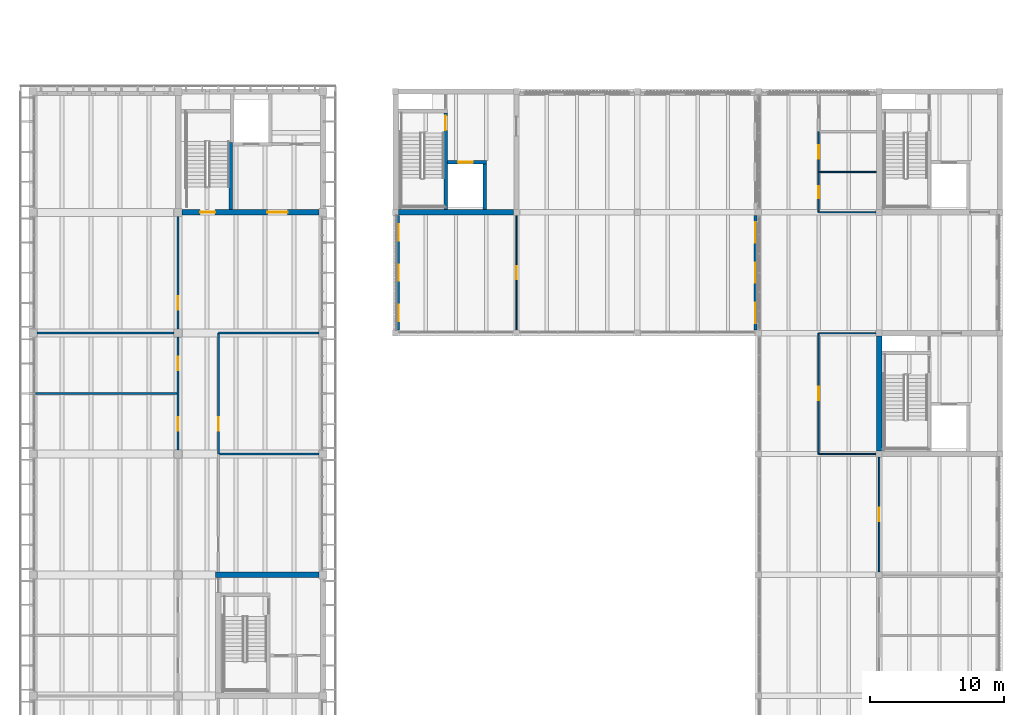
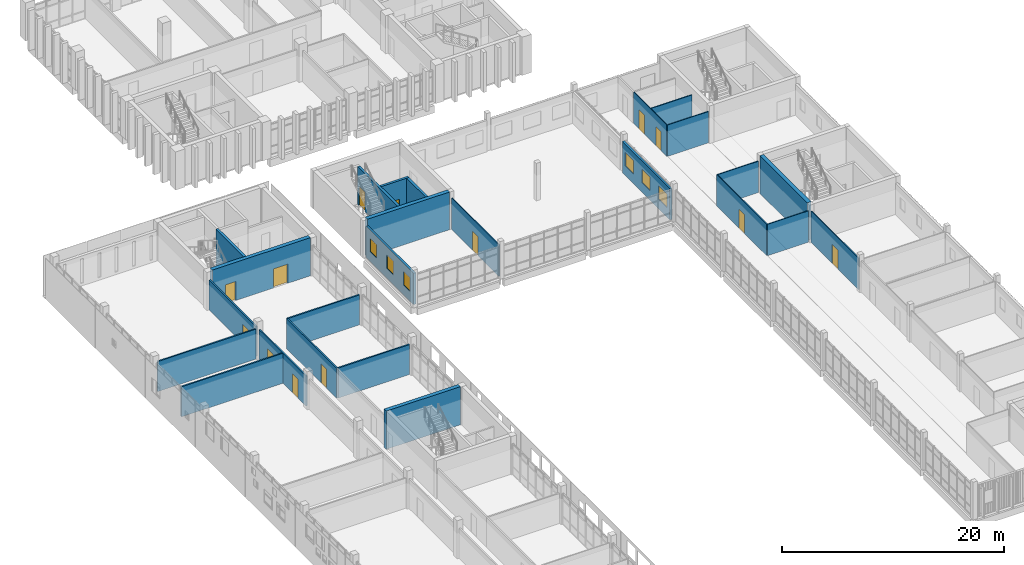
# One storey, part 54 of 88: 25 walls, 13 doors, 6 windows, 19 openings.
"""IFC4 building model written with IfcOpenShell, lengths in metres."""

import ifcopenshell
import ifcopenshell.guid

model = None  # the IFC model being written
_history = None  # IfcOwnerHistory: only IFC2X3 demands one
_inside = {}  # id of a spatial element -> (the spatial element, [elements in it])
_under = {}  # id of a project, library or spatial element -> (it, [spatial elements below it])
_declared = {}  # id of a project -> (the project, [libraries it declares])
_typed = {}  # id of a type object -> (the type object, [elements of that type])
_made_of = {}  # id of a material, layer set ... -> (it, [elements and type objects made of it])


def new_model(schema):
    """Start an empty IFC model of exactly this schema.

    Asked for "IFC4X3", IfcOpenShell would pick the latest addendum, in which some entities
    have other attributes; the version numbers below select the first issue.
    IFC2X3 requires an IfcOwnerHistory on every rooted entity: one is made here for all.
    """
    global model, _history
    if schema == "IFC4X3":
        model = ifcopenshell.file(schema_version=(4, 3, 0, 0))
    else:
        model = ifcopenshell.file(schema=schema)
    _inside.clear()
    _under.clear()
    _declared.clear()
    _typed.clear()
    _made_of.clear()
    _history = None
    if model.schema == "IFC2X3":
        org = make("IfcOrganization", Name="unknown")
        user = make(
            "IfcPersonAndOrganization",
            ThePerson=make("IfcPerson", FamilyName="unknown"),
            TheOrganization=org,
        )
        app = make(
            "IfcApplication",
            ApplicationDeveloper=org,
            Version="unknown",
            ApplicationFullName="unknown",
            ApplicationIdentifier="unknown",
        )
        _history = make(
            "IfcOwnerHistory",
            OwningUser=user,
            OwningApplication=app,
            ChangeAction="ADDED",
            CreationDate=0,
        )
    return model


def make(cls, **values):
    """One entity of the class cls with the attributes given. An attribute that is None is left unset."""
    return model.create_entity(
        cls, **{name: value for name, value in values.items() if value is not None}
    )


def rooted(cls, **values):
    """An entity with a GlobalId (a new one), such as an element, a storey or a relation."""
    return make(cls, GlobalId=ifcopenshell.guid.new(), OwnerHistory=_history, **values)


def si_unit(unit_type, name, prefix=None):
    """IfcSIUnit, for example si_unit("LENGTHUNIT", "METRE", prefix="MILLI")."""
    return make("IfcSIUnit", UnitType=unit_type, Prefix=prefix, Name=name)


def assignment(units):
    """IfcUnitAssignment: the units of a project."""
    return None if units is None else make("IfcUnitAssignment", Units=units)


def point(xyz):
    """IfcCartesianPoint."""
    return None if xyz is None else make("IfcCartesianPoint", Coordinates=xyz)


def direction(xyz):
    """IfcDirection."""
    return None if xyz is None else make("IfcDirection", DirectionRatios=xyz)


def frame(location, z_axis=None, x_axis=None):
    """IfcAxis2Placement3D, a coordinate frame: its origin and axes. An axis left out is left unset."""
    return make(
        "IfcAxis2Placement3D",
        Location=point(location),
        Axis=direction(z_axis),
        RefDirection=direction(x_axis),
    )


def frame_2d(location, x_axis=None):
    """IfcAxis2Placement2D, a coordinate frame in the plane: its origin and x axis."""
    return make(
        "IfcAxis2Placement2D", Location=point(location), RefDirection=direction(x_axis)
    )


def origin():
    """The frame at (0, 0, 0) with its axes left unset."""
    return frame((0.0, 0.0, 0.0))


def place(relative_to, where):
    """IfcLocalPlacement: puts the frame where relative to a parent placement (None: the world)."""
    return make(
        "IfcLocalPlacement", PlacementRelTo=relative_to, RelativePlacement=where
    )


def context(
    kind, dimensions, precision=None, world=None, true_north=None, identifier=None
):
    """IfcGeometricRepresentationContext, for example the 3D "Model" context."""
    return make(
        "IfcGeometricRepresentationContext",
        ContextIdentifier=identifier,
        ContextType=kind,
        CoordinateSpaceDimension=dimensions,
        Precision=precision,
        WorldCoordinateSystem=world,
        TrueNorth=true_north,
    )


def subcontext(parent, identifier, kind, view, scale=None):
    """IfcGeometricRepresentationSubContext, for example "Body" below "Model"."""
    return make(
        "IfcGeometricRepresentationSubContext",
        ContextIdentifier=identifier,
        ContextType=kind,
        ParentContext=parent,
        TargetScale=scale,
        TargetView=view,
    )


def project(units=None, contexts=None):
    """IfcProject with its units and contexts."""
    return rooted(
        "IfcProject",
        Name="project",
        RepresentationContexts=contexts,
        UnitsInContext=assignment(units),
    )


def spatial(cls, under=None, at=None, **own):
    """A site, building, storey or space (cls), placed at a placement, below another one or the project."""
    s = rooted(cls, ObjectPlacement=at, **own)
    if under is not None:
        _under.setdefault(under.id(), (under, []))[1].append(s)
    return s


def profile(cls, at=None, kind="AREA", **sizes):
    """A parametric profile (cls). Its sizes go by their IFC names, for example OverallWidth=200.0."""
    return make(cls, ProfileType=kind, Position=at, **sizes)


def rectangle(**sizes):
    """IfcRectangleProfileDef."""
    return profile("IfcRectangleProfileDef", **sizes)


def extrude(swept, where, along, depth):
    """IfcExtrudedAreaSolid: the profile swept, set in the frame where, extruded along a direction by depth."""
    return make(
        "IfcExtrudedAreaSolid",
        SweptArea=swept,
        Position=where,
        ExtrudedDirection=direction(along),
        Depth=depth,
    )


def shape(context_of_items, identifier, shape_type, items):
    """IfcShapeRepresentation: the items that make up one representation, for example the "Body"."""
    return make(
        "IfcShapeRepresentation",
        ContextOfItems=context_of_items,
        RepresentationIdentifier=identifier,
        RepresentationType=shape_type,
        Items=items,
    )


def material(Name=None, Category=None):
    """IfcMaterial."""
    return make("IfcMaterial", Name=Name, Category=Category)


def layer(
    of_material, thickness, ventilated=None, Name=None, Category=None, Priority=None
):
    """IfcMaterialLayer: one layer of a wall or slab, of a material (None: an air gap)."""
    return make(
        "IfcMaterialLayer",
        Material=of_material,
        LayerThickness=thickness,
        IsVentilated=ventilated,
        Name=Name,
        Category=Category,
        Priority=Priority,
    )


def layer_set(layers, Name=None):
    """IfcMaterialLayerSet."""
    return make("IfcMaterialLayerSet", MaterialLayers=layers, LayerSetName=Name)


def made_of(thing, what):
    """Note that an element or type object is made of a material, layer set ...; save() writes the relation."""
    if what is not None:
        _made_of.setdefault(what.id(), (what, []))[1].append(thing)
    return thing


def type_object(cls, material=None, **own):
    """A type object (cls), such as IfcWallType, which elements share."""
    return made_of(rooted(cls, **own), material)


def element(
    cls,
    number,
    at=None,
    inside=None,
    cuts=None,
    type_object=None,
    material=None,
    context=None,
    identifier="Body",
    shape_type=None,
    held_by="IfcProductDefinitionShape",
    body=None,
    shapes=None,
    **own,
):
    """One element of the class cls, such as IfcWall. Its Tag is "e" and its number.

    at: its placement. inside: the storey or other place that contains it. cuts: it is an
    opening in that element (IfcRelVoidsElement). A single representation is given by context,
    identifier, shape_type and body (its items); several are given by shapes. held_by: the class
    of the entity that holds the representations. save() writes the other relations.
    """
    e = rooted(cls, Tag="e%d" % number, ObjectPlacement=at, **own)
    if body is not None:
        shapes = [shape(context, identifier, shape_type, body)]
    if shapes is not None:
        e.Representation = make(held_by, Representations=shapes)
    if inside is not None:
        _inside.setdefault(inside.id(), (inside, []))[1].append(e)
    if cuts is not None:
        rooted(
            "IfcRelVoidsElement", RelatingBuildingElement=cuts, RelatedOpeningElement=e
        )
    if type_object is not None:
        _typed.setdefault(type_object.id(), (type_object, []))[1].append(e)
    return made_of(e, material)


def fill(opening, filler):
    """IfcRelFillsElement: the door or window that sits in an opening."""
    return rooted(
        "IfcRelFillsElement",
        RelatingOpeningElement=opening,
        RelatedBuildingElement=filler,
    )


def aggregate(whole, parts):
    """IfcRelAggregates: a whole, such as a stair, and the parts it consists of."""
    return rooted("IfcRelAggregates", RelatingObject=whole, RelatedObjects=parts)


def save(model, path):
    """Write the relations noted so far, then the file.

    IfcRelAggregates (storeys below a building ...), IfcRelContainedInSpatialStructure (elements
    in a storey), IfcRelDefinesByType, IfcRelAssociatesMaterial and IfcRelDeclares: one each for
    every whole, place, type object, material and project.
    """
    for whole, parts in _under.values():
        aggregate(whole, parts)
    for where, things in _inside.values():
        rooted(
            "IfcRelContainedInSpatialStructure",
            RelatedElements=things,
            RelatingStructure=where,
        )
    for kind, things in _typed.values():
        rooted("IfcRelDefinesByType", RelatedObjects=things, RelatingType=kind)
    for what, things in _made_of.values():
        rooted("IfcRelAssociatesMaterial", RelatedObjects=things, RelatingMaterial=what)
    for by, libraries in _declared.values():
        rooted("IfcRelDeclares", RelatingContext=by, RelatedDefinitions=libraries)
    model.write(path)


model = new_model("IFC4")

# Units and contexts
model_context = context("Model", 3, precision=1e-05, world=origin(), true_north=direction((0.0, 1.0)))
body_context = subcontext(model_context, "Body", "Model", "MODEL_VIEW")
ifc_project = project(units=[si_unit("LENGTHUNIT", "METRE"), si_unit("AREAUNIT", "SQUARE_METRE"), si_unit("VOLUMEUNIT", "CUBIC_METRE"), si_unit("PLANEANGLEUNIT", "RADIAN"), si_unit("MASSUNIT", "GRAM", prefix="KILO")], contexts=[model_context])

# Site, building, storey
site_placement = place(None, origin())
site = spatial("IfcSite", under=ifc_project, at=site_placement, CompositionType="ELEMENT")
building_placement = place(site_placement, origin())
building = spatial("IfcBuilding", under=site, at=building_placement, Name="Merrow Basin Faculty of Sciences", CompositionType="ELEMENT")
storey_placement = place(building_placement, frame((0.0, 0.0, 9.0)))
storey = spatial("IfcBuildingStorey", under=building, at=storey_placement, Name="L02", CompositionType="ELEMENT", Elevation=9.0)

# Wall, openings, windows
ifc_material_1 = material(Name="Precast concrete C40/50", Category="concrete")
ifc_layer_1 = layer(ifc_material_1, 0.215087890625)
ifc_layer_set_1 = layer_set([ifc_layer_1], Name="External infill wall 215 Precast concrete C40/50")
wall_type_1 = type_object("IfcWallType", Name="External infill wall 215 Precast concrete C40/50", PredefinedType="STANDARD", material=ifc_layer_set_1)
wall_1_placement = place(storey_placement, frame((27.193115234375, 115.22509765625, 0.0), z_axis=(0.0, 0.0, 1.0), x_axis=(0.0, 1.0, 0.0)))
wall_1 = element("IfcWall", 1, at=wall_1_placement, inside=storey, type_object=wall_type_1, Name="W external wall 1", PredefinedType="STANDARD", context=body_context, shape_type="SweptSolid", body=[
    extrude(rectangle(XDim=8.5498046875, YDim=0.215087890625, at=frame_2d((4.27490234375, 0.0))), origin(), (0.0, 0.0, 1.0), 3.449951171875),
])
opening_1_placement = place(wall_1_placement, frame((0.675048828125, 0.0, 1.050048828125)))
opening_1 = element("IfcOpeningElement", 2, at=opening_1_placement, cuts=wall_1, Name="Opening WN12", PredefinedType="OPENING", context=body_context, shape_type="SweptSolid", body=[
    extrude(rectangle(XDim=1.199951171875, YDim=1.5, at=frame_2d((0.60009765625, 0.75))), frame((0.0, 0.117431640625, 0.0), z_axis=(0.0, -1.0, 0.0), x_axis=(1.0, 0.0, 0.0)), (0.0, 0.0, 1.0), 0.235107421875),
])
opening_2_placement = place(wall_1_placement, frame((3.675048828125, 0.0, 1.050048828125)))
opening_2 = element("IfcOpeningElement", 3, at=opening_2_placement, cuts=wall_1, Name="Opening WN12", PredefinedType="OPENING", context=body_context, shape_type="SweptSolid", body=[
    extrude(rectangle(XDim=1.199951171875, YDim=1.5, at=frame_2d((0.60009765625, 0.75))), frame((0.0, 0.117431640625, 0.0), z_axis=(0.0, -1.0, 0.0), x_axis=(1.0, 0.0, 0.0)), (0.0, 0.0, 1.0), 0.235107421875),
])
opening_3_placement = place(wall_1_placement, frame((6.675048828125, 0.0, 1.050048828125)))
opening_3 = element("IfcOpeningElement", 4, at=opening_3_placement, cuts=wall_1, Name="Opening WN12", PredefinedType="OPENING", context=body_context, shape_type="SweptSolid", body=[
    extrude(rectangle(XDim=1.199951171875, YDim=1.5, at=frame_2d((0.60009765625, 0.75))), frame((0.0, 0.117431640625, 0.0), z_axis=(0.0, -1.0, 0.0), x_axis=(1.0, 0.0, 0.0)), (0.0, 0.0, 1.0), 0.235107421875),
])
ifc_material_2 = material(Name="Low-E double glazing", Category="glass")
window_type_1 = type_object("IfcWindowType", Name="Clerestory window 1200 x 1500", PartitioningType="SINGLE_PANEL", PredefinedType="WINDOW", material=ifc_material_2)
window_1_placement = place(opening_1_placement, origin())
window_1 = element("IfcWindow", 5, at=window_1_placement, inside=storey, type_object=window_type_1, Name="W window L02", OverallHeight=1.5, OverallWidth=1.199951171875, PartitioningType="SINGLE_PANEL", PredefinedType="WINDOW", context=body_context, shape_type="SweptSolid", body=[
    extrude(rectangle(XDim=1.199951171875, YDim=1.5, at=frame_2d((0.60009765625, 0.75))), frame((0.0, 0.030029296875, 0.0), z_axis=(0.0, -1.0, 0.0), x_axis=(1.0, 0.0, 0.0)), (0.0, 0.0, 1.0), 0.06005859375),
])
fill(opening_1, window_1)
window_2_placement = place(opening_2_placement, origin())
window_2 = element("IfcWindow", 6, at=window_2_placement, inside=storey, type_object=window_type_1, Name="W window L02", OverallHeight=1.5, OverallWidth=1.199951171875, PartitioningType="SINGLE_PANEL", PredefinedType="WINDOW", context=body_context, shape_type="SweptSolid", body=[
    extrude(rectangle(XDim=1.199951171875, YDim=1.5, at=frame_2d((0.60009765625, 0.75))), frame((0.0, 0.030029296875, 0.0), z_axis=(0.0, -1.0, 0.0), x_axis=(1.0, 0.0, 0.0)), (0.0, 0.0, 1.0), 0.06005859375),
])
fill(opening_2, window_2)
window_3_placement = place(opening_3_placement, origin())
window_3 = element("IfcWindow", 7, at=window_3_placement, inside=storey, type_object=window_type_1, Name="W window L02", OverallHeight=1.5, OverallWidth=1.199951171875, PartitioningType="SINGLE_PANEL", PredefinedType="WINDOW", context=body_context, shape_type="SweptSolid", body=[
    extrude(rectangle(XDim=1.199951171875, YDim=1.5, at=frame_2d((0.60009765625, 0.75))), frame((0.0, 0.030029296875, 0.0), z_axis=(0.0, -1.0, 0.0), x_axis=(1.0, 0.0, 0.0)), (0.0, 0.0, 1.0), 0.06005859375),
])
fill(opening_3, window_3)

wall_2_placement = place(storey_placement, frame((53.806884765625, 123.77490234375, 0.0), z_axis=(0.0, 0.0, 1.0), x_axis=(0.0, -1.0, 0.0)))
wall_2 = element("IfcWall", 8, at=wall_2_placement, inside=storey, type_object=wall_type_1, Name="E external wall 1", PredefinedType="STANDARD", context=body_context, shape_type="SweptSolid", body=[
    extrude(rectangle(XDim=8.5498046875, YDim=0.215087890625, at=frame_2d((4.27490234375, 0.0))), origin(), (0.0, 0.0, 1.0), 3.449951171875),
])
opening_4_placement = place(wall_2_placement, frame((6.52490234375, 0.0, 1.050048828125)))
opening_4 = element("IfcOpeningElement", 9, at=opening_4_placement, cuts=wall_2, Name="Opening WN9", PredefinedType="OPENING", context=body_context, shape_type="SweptSolid", body=[
    extrude(rectangle(XDim=1.5, YDim=1.5, at=frame_2d((0.75, 0.75))), frame((0.0, 0.117431640625, 0.0), z_axis=(0.0, -1.0, 0.0), x_axis=(1.0, 0.0, 0.0)), (0.0, 0.0, 1.0), 0.235107421875),
])
opening_5_placement = place(wall_2_placement, frame((3.52490234375, 0.0, 1.050048828125)))
opening_5 = element("IfcOpeningElement", 10, at=opening_5_placement, cuts=wall_2, Name="Opening WN9", PredefinedType="OPENING", context=body_context, shape_type="SweptSolid", body=[
    extrude(rectangle(XDim=1.5, YDim=1.5, at=frame_2d((0.75, 0.75))), frame((0.0, 0.117431640625, 0.0), z_axis=(0.0, -1.0, 0.0), x_axis=(1.0, 0.0, 0.0)), (0.0, 0.0, 1.0), 0.235107421875),
])
opening_6_placement = place(wall_2_placement, frame((0.52490234375, 0.0, 1.050048828125)))
opening_6 = element("IfcOpeningElement", 11, at=opening_6_placement, cuts=wall_2, Name="Opening WN9", PredefinedType="OPENING", context=body_context, shape_type="SweptSolid", body=[
    extrude(rectangle(XDim=1.5, YDim=1.5, at=frame_2d((0.75, 0.75))), frame((0.0, 0.117431640625, 0.0), z_axis=(0.0, -1.0, 0.0), x_axis=(1.0, 0.0, 0.0)), (0.0, 0.0, 1.0), 0.235107421875),
])
ifc_material_3 = material(Name="Low-E double glazing", Category="glass")
window_type_2 = type_object("IfcWindowType", Name="Clerestory window 1500 x 1500", PartitioningType="SINGLE_PANEL", PredefinedType="WINDOW", material=ifc_material_3)
window_4_placement = place(opening_4_placement, origin())
window_4 = element("IfcWindow", 12, at=window_4_placement, inside=storey, type_object=window_type_2, Name="E window L02", OverallHeight=1.5, OverallWidth=1.5, PartitioningType="SINGLE_PANEL", PredefinedType="WINDOW", context=body_context, shape_type="SweptSolid", body=[
    extrude(rectangle(XDim=1.5, YDim=1.5, at=frame_2d((0.75, 0.75))), frame((0.0, 0.030029296875, 0.0), z_axis=(0.0, -1.0, 0.0), x_axis=(1.0, 0.0, 0.0)), (0.0, 0.0, 1.0), 0.06005859375),
])
fill(opening_4, window_4)
window_5_placement = place(opening_5_placement, origin())
window_5 = element("IfcWindow", 13, at=window_5_placement, inside=storey, type_object=window_type_2, Name="E window L02", OverallHeight=1.5, OverallWidth=1.5, PartitioningType="SINGLE_PANEL", PredefinedType="WINDOW", context=body_context, shape_type="SweptSolid", body=[
    extrude(rectangle(XDim=1.5, YDim=1.5, at=frame_2d((0.75, 0.75))), frame((0.0, 0.030029296875, 0.0), z_axis=(0.0, -1.0, 0.0), x_axis=(1.0, 0.0, 0.0)), (0.0, 0.0, 1.0), 0.06005859375),
])
fill(opening_5, window_5)
window_6_placement = place(opening_6_placement, origin())
window_6 = element("IfcWindow", 14, at=window_6_placement, inside=storey, type_object=window_type_2, Name="E window L02", OverallHeight=1.5, OverallWidth=1.5, PartitioningType="SINGLE_PANEL", PredefinedType="WINDOW", context=body_context, shape_type="SweptSolid", body=[
    extrude(rectangle(XDim=1.5, YDim=1.5, at=frame_2d((0.75, 0.75))), frame((0.0, 0.030029296875, 0.0), z_axis=(0.0, -1.0, 0.0), x_axis=(1.0, 0.0, 0.0)), (0.0, 0.0, 1.0), 0.06005859375),
])
fill(opening_6, window_6)

# Wall, openings, doors
ifc_material_4 = material(Name="Fire-rated gypsum board")
ifc_layer_2 = layer(ifc_material_4, 0.14990234375)
ifc_layer_set_2 = layer_set([ifc_layer_2], Name="Laboratory partition 150 fire-rated board on steel studs")
wall_type_2 = type_object("IfcWallType", Name="Laboratory partition 150 fire-rated board on steel studs", PredefinedType="PARTITIONING", material=ifc_layer_set_2)
wall_3_placement = place(storey_placement, frame((10.800048828125, 106.300048828125, 0.0), z_axis=(0.0, 0.0, 1.0), x_axis=(0.0, 1.0, 0.0)))
wall_3 = element("IfcWall", 15, at=wall_3_placement, inside=storey, type_object=wall_type_2, Name="IW150 L02 016", PredefinedType="PARTITIONING", context=body_context, shape_type="SweptSolid", body=[
    extrude(rectangle(XDim=8.39990234375, YDim=0.14990234375, at=frame_2d((4.199951171875, 0.0))), origin(), (0.0, 0.0, 1.0), 3.300048828125),
])
opening_7_placement = place(wall_3_placement, frame((1.449951171875, 0.0, 0.0)))
opening_7 = element("IfcOpeningElement", 16, at=opening_7_placement, cuts=wall_3, Name="Opening D02B019", PredefinedType="OPENING", context=body_context, shape_type="SweptSolid", body=[
    extrude(rectangle(XDim=1.0, YDim=2.10009765625, at=frame_2d((0.5, 1.050048828125))), frame((0.0, 0.0849609375, 0.0), z_axis=(0.0, -1.0, 0.0), x_axis=(1.0, 0.0, 0.0)), (0.0, 0.0, 1.0), 0.169921875),
])
opening_8_placement = place(wall_3_placement, frame((5.949951171875, 0.0, 0.0)))
opening_8 = element("IfcOpeningElement", 17, at=opening_8_placement, cuts=wall_3, Name="Opening D02B020", PredefinedType="OPENING", context=body_context, shape_type="SweptSolid", body=[
    extrude(rectangle(XDim=1.0, YDim=2.10009765625, at=frame_2d((0.5, 1.050048828125))), frame((0.0, 0.0849609375, 0.0), z_axis=(0.0, -1.0, 0.0), x_axis=(1.0, 0.0, 0.0)), (0.0, 0.0, 1.0), 0.169921875),
])
ifc_material_5 = material(Name="Fire-rated steel door", Category="steel")
door_type_1 = type_object("IfcDoorType", Name="Fire door FD60 1000 x 2100", OperationType="NOTDEFINED", PredefinedType="DOOR", material=ifc_material_5)
door_1_placement = place(opening_7_placement, origin())
door_1 = element("IfcDoor", 18, at=door_1_placement, inside=storey, type_object=door_type_1, Name="Door D02B019", OperationType="SINGLE_SWING_RIGHT", OverallHeight=2.10009765625, OverallWidth=1.0, PredefinedType="DOOR", context=body_context, shape_type="SweptSolid", body=[
    extrude(rectangle(XDim=1.0, YDim=2.10009765625, at=frame_2d((0.5, 1.050048828125))), frame((0.0, 0.02490234375, 0.0), z_axis=(0.0, -1.0, 0.0), x_axis=(1.0, 0.0, 0.0)), (0.0, 0.0, 1.0), 0.050048828125),
])
fill(opening_7, door_1)
door_2_placement = place(opening_8_placement, origin())
door_2 = element("IfcDoor", 19, at=door_2_placement, inside=storey, type_object=door_type_1, Name="Door D02B020", OperationType="SINGLE_SWING_LEFT", OverallHeight=2.10009765625, OverallWidth=1.0, PredefinedType="DOOR", context=body_context, shape_type="SweptSolid", body=[
    extrude(rectangle(XDim=1.0, YDim=2.10009765625, at=frame_2d((0.5, 1.050048828125))), frame((0.0, 0.02490234375, 0.0), z_axis=(0.0, -1.0, 0.0), x_axis=(1.0, 0.0, 0.0)), (0.0, 0.0, 1.0), 0.050048828125),
])
fill(opening_8, door_2)

# Wall, opening, door
wall_4_placement = place(storey_placement, frame((10.800048828125, 115.300048828125, 0.0), z_axis=(0.0, 0.0, 1.0), x_axis=(0.0, 1.0, 0.0)))
wall_4 = element("IfcWall", 20, at=wall_4_placement, inside=storey, type_object=wall_type_2, Name="IW150 L02 017", PredefinedType="PARTITIONING", context=body_context, shape_type="SweptSolid", body=[
    extrude(rectangle(XDim=8.39990234375, YDim=0.14990234375, at=frame_2d((4.199951171875, 0.0))), origin(), (0.0, 0.0, 1.0), 3.300048828125),
])
opening_9_placement = place(wall_4_placement, frame((1.449951171875, 0.0, 0.0)))
opening_9 = element("IfcOpeningElement", 21, at=opening_9_placement, cuts=wall_4, Name="Opening D02B021", PredefinedType="OPENING", context=body_context, shape_type="SweptSolid", body=[
    extrude(rectangle(XDim=1.0, YDim=2.10009765625, at=frame_2d((0.5, 1.050048828125))), frame((0.0, 0.0849609375, 0.0), z_axis=(0.0, -1.0, 0.0), x_axis=(1.0, 0.0, 0.0)), (0.0, 0.0, 1.0), 0.169921875),
])
door_3_placement = place(opening_9_placement, origin())
door_3 = element("IfcDoor", 22, at=door_3_placement, inside=storey, type_object=door_type_1, Name="Door D02B021", OperationType="SINGLE_SWING_LEFT", OverallHeight=2.10009765625, OverallWidth=1.0, PredefinedType="DOOR", context=body_context, shape_type="SweptSolid", body=[
    extrude(rectangle(XDim=1.0, YDim=2.10009765625, at=frame_2d((0.5, 1.050048828125))), frame((0.0, 0.02490234375, 0.0), z_axis=(0.0, -1.0, 0.0), x_axis=(1.0, 0.0, 0.0)), (0.0, 0.0, 1.0), 0.050048828125),
])
fill(opening_9, door_3)

wall_5_placement = place(storey_placement, frame((13.800048828125, 106.0, 0.0), z_axis=(0.0, 0.0, 1.0), x_axis=(0.0, 1.0, 0.0)))
wall_5 = element("IfcWall", 23, at=wall_5_placement, inside=storey, type_object=wall_type_2, Name="IW150 L02 019", PredefinedType="PARTITIONING", context=body_context, shape_type="SweptSolid", body=[
    extrude(rectangle(XDim=9.0, YDim=0.14990234375, at=frame_2d((4.5, 0.0))), origin(), (0.0, 0.0, 1.0), 3.300048828125),
])
opening_10_placement = place(wall_5_placement, frame((1.75, 0.0, 0.0)))
opening_10 = element("IfcOpeningElement", 24, at=opening_10_placement, cuts=wall_5, Name="Opening D02B025", PredefinedType="OPENING", context=body_context, shape_type="SweptSolid", body=[
    extrude(rectangle(XDim=1.0, YDim=2.10009765625, at=frame_2d((0.5, 1.050048828125))), frame((0.0, 0.0849609375, 0.0), z_axis=(0.0, -1.0, 0.0), x_axis=(1.0, 0.0, 0.0)), (0.0, 0.0, 1.0), 0.169921875),
])
door_4_placement = place(opening_10_placement, origin())
door_4 = element("IfcDoor", 25, at=door_4_placement, inside=storey, type_object=door_type_1, Name="Door D02B025", OperationType="SINGLE_SWING_LEFT", OverallHeight=2.10009765625, OverallWidth=1.0, PredefinedType="DOOR", context=body_context, shape_type="SweptSolid", body=[
    extrude(rectangle(XDim=1.0, YDim=2.10009765625, at=frame_2d((0.5, 1.050048828125))), frame((0.0, 0.02490234375, 0.0), z_axis=(0.0, -1.0, 0.0), x_axis=(1.0, 0.0, 0.0)), (0.0, 0.0, 1.0), 0.050048828125),
])
fill(opening_10, door_4)

# Walls
wall_6_placement = place(storey_placement, frame((13.875, 106.0, 0.0), z_axis=(0.0, 0.0, 1.0), x_axis=(1.0, 0.0, 0.0)))
element("IfcWall", 26, at=wall_6_placement, inside=storey, type_object=wall_type_2, Name="IW150 L02 023", PredefinedType="PARTITIONING", context=body_context, shape_type="SweptSolid", body=[
    extrude(rectangle(XDim=7.425048828125, YDim=0.14990234375, at=frame_2d((3.71240234375, 0.0))), origin(), (0.0, 0.0, 1.0), 3.300048828125),
])
wall_7_placement = place(storey_placement, frame((0.179931640625, 110.5, 0.0), z_axis=(0.0, 0.0, 1.0), x_axis=(1.0, 0.0, 0.0)))
element("IfcWall", 27, at=wall_7_placement, inside=storey, type_object=wall_type_2, Name="IW150 L02 024", PredefinedType="PARTITIONING", context=body_context, shape_type="SweptSolid", body=[
    extrude(rectangle(XDim=10.545166015625, YDim=0.14990234375, at=frame_2d((5.2724609375, 0.0))), origin(), (0.0, 0.0, 1.0), 3.300048828125),
])
wall_8_placement = place(storey_placement, frame((0.300048828125, 115.0, 0.0), z_axis=(0.0, 0.0, 1.0), x_axis=(1.0, 0.0, 0.0)))
element("IfcWall", 28, at=wall_8_placement, inside=storey, type_object=wall_type_2, Name="IW150 L02 025", PredefinedType="PARTITIONING", context=body_context, shape_type="SweptSolid", body=[
    extrude(rectangle(XDim=10.199951171875, YDim=0.14990234375, at=frame_2d((5.10009765625, 0.0))), origin(), (0.0, 0.0, 1.0), 3.300048828125),
])
wall_9_placement = place(storey_placement, frame((13.800048828125, 115.0, 0.0), z_axis=(0.0, 0.0, 1.0), x_axis=(1.0, 0.0, 0.0)))
element("IfcWall", 29, at=wall_9_placement, inside=storey, type_object=wall_type_2, Name="IW150 L02 026", PredefinedType="PARTITIONING", context=body_context, shape_type="SweptSolid", body=[
    extrude(rectangle(XDim=7.5, YDim=0.14990234375, at=frame_2d((3.75, 0.0))), origin(), (0.0, 0.0, 1.0), 3.300048828125),
])

# Wall, opening, door
ifc_material_6 = material(Name="Gypsum board")
ifc_layer_3 = layer(ifc_material_6, 0.10009765625)
ifc_layer_set_3 = layer_set([ifc_layer_3], Name="Partition 100 gypsum board on steel studs")
wall_type_3 = type_object("IfcWallType", Name="Partition 100 gypsum board on steel studs", PredefinedType="PARTITIONING", material=ifc_layer_set_3)
wall_10_placement = place(storey_placement, frame((58.5, 106.0, 0.0), z_axis=(0.0, 0.0, 1.0), x_axis=(0.0, 1.0, 0.0)))
wall_10 = element("IfcWall", 30, at=wall_10_placement, inside=storey, type_object=wall_type_3, Name="IW100 L02 011", PredefinedType="PARTITIONING", context=body_context, shape_type="SweptSolid", body=[
    extrude(rectangle(XDim=9.0, YDim=0.10009765625, at=frame_2d((4.5, 0.0))), origin(), (0.0, 0.0, 1.0), 3.449951171875),
])
opening_11_placement = place(wall_10_placement, frame((4.0, 0.0, 0.0)))
opening_11 = element("IfcOpeningElement", 31, at=opening_11_placement, cuts=wall_10, Name="Opening D02C015", PredefinedType="OPENING", context=body_context, shape_type="SweptSolid", body=[
    extrude(rectangle(XDim=1.0, YDim=2.10009765625, at=frame_2d((0.5, 1.050048828125))), frame((0.0, 0.06005859375, 0.0), z_axis=(0.0, -1.0, 0.0), x_axis=(1.0, 0.0, 0.0)), (0.0, 0.0, 1.0), 0.1201171875),
])
ifc_material_7 = material(Name="Timber door leaf", Category="wood")
door_type_2 = type_object("IfcDoorType", Name="Single swing door 1000 x 2100", OperationType="NOTDEFINED", PredefinedType="DOOR", material=ifc_material_7)
door_5_placement = place(opening_11_placement, origin())
door_5 = element("IfcDoor", 32, at=door_5_placement, inside=storey, type_object=door_type_2, Name="Door D02C015", OperationType="SINGLE_SWING_LEFT", OverallHeight=2.10009765625, OverallWidth=1.0, PredefinedType="DOOR", context=body_context, shape_type="SweptSolid", body=[
    extrude(rectangle(XDim=1.0, YDim=2.10009765625, at=frame_2d((0.5, 1.050048828125))), frame((0.0, 0.02490234375, 0.0), z_axis=(0.0, -1.0, 0.0), x_axis=(1.0, 0.0, 0.0)), (0.0, 0.0, 1.0), 0.050048828125),
])
fill(opening_11, door_5)

wall_11_placement = place(storey_placement, frame((63.0, 97.22509765625, 0.0), z_axis=(0.0, 0.0, 1.0), x_axis=(0.0, 1.0, 0.0)))
wall_11 = element("IfcWall", 33, at=wall_11_placement, inside=storey, type_object=wall_type_3, Name="IW100 L02 014", PredefinedType="PARTITIONING", context=body_context, shape_type="SweptSolid", body=[
    extrude(rectangle(XDim=8.5498046875, YDim=0.10009765625, at=frame_2d((4.27490234375, 0.0))), origin(), (0.0, 0.0, 1.0), 3.449951171875),
])
opening_12_placement = place(wall_11_placement, frame((3.77490234375, 0.0, 0.0)))
opening_12 = element("IfcOpeningElement", 34, at=opening_12_placement, cuts=wall_11, Name="Opening D02C020", PredefinedType="OPENING", context=body_context, shape_type="SweptSolid", body=[
    extrude(rectangle(XDim=1.0, YDim=2.10009765625, at=frame_2d((0.5, 1.050048828125))), frame((0.0, 0.06005859375, 0.0), z_axis=(0.0, -1.0, 0.0), x_axis=(1.0, 0.0, 0.0)), (0.0, 0.0, 1.0), 0.1201171875),
])
door_6_placement = place(opening_12_placement, origin())
door_6 = element("IfcDoor", 35, at=door_6_placement, inside=storey, type_object=door_type_2, Name="Door D02C020", OperationType="SINGLE_SWING_LEFT", OverallHeight=2.10009765625, OverallWidth=1.0, PredefinedType="DOOR", context=body_context, shape_type="SweptSolid", body=[
    extrude(rectangle(XDim=1.0, YDim=2.10009765625, at=frame_2d((0.5, 1.050048828125))), frame((0.0, 0.02490234375, 0.0), z_axis=(0.0, -1.0, 0.0), x_axis=(1.0, 0.0, 0.0)), (0.0, 0.0, 1.0), 0.050048828125),
])
fill(opening_12, door_6)

# Walls
for number, where, z_axis, x_axis, name in (
    (36, (58.5, 106.0, 0.0), (0.0, 0.0, 1.0), (1.0, 0.0, 0.0), "IW100 L02 022"),
    (37, (58.5, 115.0, 0.0), (0.0, 0.0, 1.0), (1.0, 0.0, 0.0), "IW100 L02 023"),
):
    element("IfcWall", number, at=place(storey_placement, frame(where, z_axis=z_axis, x_axis=x_axis)), inside=storey, type_object=wall_type_3, Name=name, PredefinedType="PARTITIONING", context=body_context, shape_type="SweptSolid", body=[
        extrude(rectangle(XDim=4.27490234375, YDim=0.10009765625, at=frame_2d((2.137451171875, 0.0))), origin(), (0.0, 0.0, 1.0), 3.449951171875),
    ])

# Wall, opening, door
wall_12_placement = place(storey_placement, frame((36.0, 115.22509765625, 0.0), z_axis=(0.0, 0.0, 1.0), x_axis=(0.0, 1.0, 0.0)))
wall_12 = element("IfcWall", 38, at=wall_12_placement, inside=storey, type_object=wall_type_3, Name="IW100 L02 024", PredefinedType="PARTITIONING", context=body_context, shape_type="SweptSolid", body=[
    extrude(rectangle(XDim=8.5498046875, YDim=0.10009765625, at=frame_2d((4.27490234375, 0.0))), origin(), (0.0, 0.0, 1.0), 3.449951171875),
])
opening_13_placement = place(wall_12_placement, frame((3.77490234375, 0.0, 0.0)))
opening_13 = element("IfcOpeningElement", 39, at=opening_13_placement, cuts=wall_12, Name="Opening D02C013", PredefinedType="OPENING", context=body_context, shape_type="SweptSolid", body=[
    extrude(rectangle(XDim=1.0, YDim=2.10009765625, at=frame_2d((0.5, 1.050048828125))), frame((0.0, 0.06005859375, 0.0), z_axis=(0.0, -1.0, 0.0), x_axis=(1.0, 0.0, 0.0)), (0.0, 0.0, 1.0), 0.1201171875),
])
door_7_placement = place(opening_13_placement, origin())
door_7 = element("IfcDoor", 40, at=door_7_placement, inside=storey, type_object=door_type_2, Name="Door D02C013", OperationType="SINGLE_SWING_LEFT", OverallHeight=2.10009765625, OverallWidth=1.0, PredefinedType="DOOR", context=body_context, shape_type="SweptSolid", body=[
    extrude(rectangle(XDim=1.0, YDim=2.10009765625, at=frame_2d((0.5, 1.050048828125))), frame((0.0, 0.02490234375, 0.0), z_axis=(0.0, -1.0, 0.0), x_axis=(1.0, 0.0, 0.0)), (0.0, 0.0, 1.0), 0.050048828125),
])
fill(opening_13, door_7)

# Wall, openings, doors
ifc_material_8 = material(Name="Moisture-resistant gypsum board")
ifc_layer_4 = layer(ifc_material_8, 0.10009765625)
ifc_layer_set_4 = layer_set([ifc_layer_4], Name="Partition 100 moisture-resistant board on steel studs")
wall_type_4 = type_object("IfcWallType", Name="Partition 100 moisture-resistant board on steel studs", PredefinedType="PARTITIONING", material=ifc_layer_set_4)
wall_13_placement = place(storey_placement, frame((58.5, 124.0, 0.0), z_axis=(0.0, 0.0, 1.0), x_axis=(0.0, 1.0, 0.0)))
wall_13 = element("IfcWall", 41, at=wall_13_placement, inside=storey, type_object=wall_type_4, Name="IW101 L02 007", PredefinedType="PARTITIONING", context=body_context, shape_type="SweptSolid", body=[
    extrude(rectangle(XDim=6.0, YDim=0.10009765625, at=frame_2d((3.0, 0.0))), origin(), (0.0, 0.0, 1.0), 3.449951171875),
])
opening_14_placement = place(wall_13_placement, frame((1.050048828125, 0.0, 0.0)))
opening_14 = element("IfcOpeningElement", 42, at=opening_14_placement, cuts=wall_13, Name="Opening D02C021", PredefinedType="OPENING", context=body_context, shape_type="SweptSolid", body=[
    extrude(rectangle(XDim=0.89990234375, YDim=2.10009765625, at=frame_2d((0.449951171875, 1.050048828125))), frame((0.0, 0.06005859375, 0.0), z_axis=(0.0, -1.0, 0.0), x_axis=(1.0, 0.0, 0.0)), (0.0, 0.0, 1.0), 0.1201171875),
])
opening_15_placement = place(wall_13_placement, frame((4.0, 0.0, 0.0)))
opening_15 = element("IfcOpeningElement", 43, at=opening_15_placement, cuts=wall_13, Name="Opening D02C022", PredefinedType="OPENING", context=body_context, shape_type="SweptSolid", body=[
    extrude(rectangle(XDim=1.0, YDim=2.10009765625, at=frame_2d((0.5, 1.050048828125))), frame((0.0, 0.06005859375, 0.0), z_axis=(0.0, -1.0, 0.0), x_axis=(1.0, 0.0, 0.0)), (0.0, 0.0, 1.0), 0.1201171875),
])
ifc_material_9 = material(Name="Timber door leaf", Category="wood")
door_type_3 = type_object("IfcDoorType", Name="Accessible door 1000 x 2100", OperationType="NOTDEFINED", PredefinedType="DOOR", material=ifc_material_9)
door_8_placement = place(opening_15_placement, origin())
door_8 = element("IfcDoor", 44, at=door_8_placement, inside=storey, type_object=door_type_3, Name="Door D02C022", OperationType="SINGLE_SWING_LEFT", OverallHeight=2.10009765625, OverallWidth=1.0, PredefinedType="DOOR", context=body_context, shape_type="SweptSolid", body=[
    extrude(rectangle(XDim=1.0, YDim=2.10009765625, at=frame_2d((0.5, 1.050048828125))), frame((0.0, 0.02490234375, 0.0), z_axis=(0.0, -1.0, 0.0), x_axis=(1.0, 0.0, 0.0)), (0.0, 0.0, 1.0), 0.050048828125),
])
fill(opening_15, door_8)
ifc_material_10 = material(Name="Timber door leaf", Category="wood")
door_type_4 = type_object("IfcDoorType", Name="Single swing door 900 x 2100", OperationType="NOTDEFINED", PredefinedType="DOOR", material=ifc_material_10)
door_9_placement = place(opening_14_placement, origin())
door_9 = element("IfcDoor", 45, at=door_9_placement, inside=storey, type_object=door_type_4, Name="Door D02C021", OperationType="SINGLE_SWING_LEFT", OverallHeight=2.10009765625, OverallWidth=0.89990234375, PredefinedType="DOOR", context=body_context, shape_type="SweptSolid", body=[
    extrude(rectangle(XDim=0.89990234375, YDim=2.10009765625, at=frame_2d((0.449951171875, 1.050048828125))), frame((0.0, 0.02490234375, 0.0), z_axis=(0.0, -1.0, 0.0), x_axis=(1.0, 0.0, 0.0)), (0.0, 0.0, 1.0), 0.050048828125),
])
fill(opening_14, door_9)

# Walls
wall_14_placement = place(storey_placement, frame((58.5, 124.0, 0.0), z_axis=(0.0, 0.0, 1.0), x_axis=(1.0, 0.0, 0.0)))
element("IfcWall", 46, at=wall_14_placement, inside=storey, type_object=wall_type_4, Name="IW101 L02 008", PredefinedType="PARTITIONING", context=body_context, shape_type="SweptSolid", body=[
    extrude(rectangle(XDim=4.27490234375, YDim=0.10009765625, at=frame_2d((2.137451171875, 0.0))), origin(), (0.0, 0.0, 1.0), 3.449951171875),
])
wall_15_placement = place(storey_placement, frame((58.550048828125, 127.0, 0.0), z_axis=(0.0, 0.0, 1.0), x_axis=(1.0, 0.0, 0.0)))
element("IfcWall", 47, at=wall_15_placement, inside=storey, type_object=wall_type_4, Name="IW101 L02 009", PredefinedType="PARTITIONING", context=body_context, shape_type="SweptSolid", body=[
    extrude(rectangle(XDim=4.25, YDim=0.10009765625, at=frame_2d((2.125, 0.0))), origin(), (0.0, 0.0, 1.0), 3.449951171875),
])
ifc_material_11 = material(Name="Concrete C40/50", Category="concrete")
ifc_layer_5 = layer(ifc_material_11, 0.25)
ifc_layer_set_5 = layer_set([ifc_layer_5], Name="Shear wall 250 Concrete C40/50")
wall_type_5 = type_object("IfcWallType", Name="Shear wall 250 Concrete C40/50", PredefinedType="SHEAR", material=ifc_layer_set_5)
wall_16_placement = place(storey_placement, frame((14.72509765625, 124.199951171875, 0.0), z_axis=(0.0, 0.0, 1.0), x_axis=(0.0, 1.0, 0.0)))
element("IfcWall", 48, at=wall_16_placement, inside=storey, type_object=wall_type_5, Name="SW2 L02 020", PredefinedType="SHEAR", context=body_context, shape_type="SweptSolid", body=[
    extrude(rectangle(XDim=5.0, YDim=0.25, at=frame_2d((2.5, 0.0))), origin(), (0.0, 0.0, 1.0), 4.199951171875),
])

# Wall, opening, door
wall_17_placement = place(storey_placement, frame((30.72509765625, 124.199951171875, 0.0), z_axis=(0.0, 0.0, 1.0), x_axis=(0.0, 1.0, 0.0)))
wall_17 = element("IfcWall", 49, at=wall_17_placement, inside=storey, type_object=wall_type_5, Name="SW2 L02 006", PredefinedType="SHEAR", context=body_context, shape_type="SweptSolid", body=[
    extrude(rectangle(XDim=7.199951171875, YDim=0.25, at=frame_2d((3.60009765625, 0.0))), origin(), (0.0, 0.0, 1.0), 4.14990234375),
])
opening_16_placement = place(wall_17_placement, frame((5.89990234375, 0.0, 0.0)))
opening_16 = element("IfcOpeningElement", 50, at=opening_16_placement, cuts=wall_17, Name="Opening D02C010", PredefinedType="OPENING", context=body_context, shape_type="SweptSolid", body=[
    extrude(rectangle(XDim=1.10009765625, YDim=2.10009765625, at=frame_2d((0.550048828125, 1.050048828125))), frame((0.0, 0.135009765625, 0.0), z_axis=(0.0, -1.0, 0.0), x_axis=(1.0, 0.0, 0.0)), (0.0, 0.0, 1.0), 0.27001953125),
])
ifc_material_12 = material(Name="Fire-rated steel door", Category="steel")
door_type_5 = type_object("IfcDoorType", Name="Fire door FD90 1100 x 2100", OperationType="NOTDEFINED", PredefinedType="DOOR", material=ifc_material_12)
door_10_placement = place(opening_16_placement, origin())
door_10 = element("IfcDoor", 51, at=door_10_placement, inside=storey, type_object=door_type_5, Name="Door D02C010", OperationType="SINGLE_SWING_RIGHT", OverallHeight=2.10009765625, OverallWidth=1.10009765625, PredefinedType="DOOR", context=body_context, shape_type="SweptSolid", body=[
    extrude(rectangle(XDim=1.10009765625, YDim=2.10009765625, at=frame_2d((0.550048828125, 1.050048828125))), frame((0.0, 0.02490234375, 0.0), z_axis=(0.0, -1.0, 0.0), x_axis=(1.0, 0.0, 0.0)), (0.0, 0.0, 1.0), 0.050048828125),
])
fill(opening_16, door_10)

wall_18_placement = place(storey_placement, frame((30.85009765625, 127.72509765625, 0.0), z_axis=(0.0, 0.0, 1.0), x_axis=(1.0, 0.0, 0.0)))
wall_18 = element("IfcWall", 52, at=wall_18_placement, inside=storey, type_object=wall_type_5, Name="SW2 L02 007", PredefinedType="SHEAR", context=body_context, shape_type="SweptSolid", body=[
    extrude(rectangle(XDim=2.89990234375, YDim=0.25, at=frame_2d((1.449951171875, 0.0))), origin(), (0.0, 0.0, 1.0), 4.14990234375),
])
opening_17_placement = place(wall_18_placement, frame((0.800048828125, 0.0, 0.0)))
opening_17 = element("IfcOpeningElement", 53, at=opening_17_placement, cuts=wall_18, Name="Opening LD02C01", PredefinedType="OPENING", context=body_context, shape_type="SweptSolid", body=[
    extrude(rectangle(XDim=1.10009765625, YDim=2.10009765625, at=frame_2d((0.550048828125, 1.050048828125))), frame((0.0, 0.135009765625, 0.0), z_axis=(0.0, -1.0, 0.0), x_axis=(1.0, 0.0, 0.0)), (0.0, 0.0, 1.0), 0.27001953125),
])
ifc_material_13 = material(Name="Stainless steel sliding door", Category="steel")
door_type_6 = type_object("IfcDoorType", Name="Lift landing door 1100 x 2100 sliding", OperationType="NOTDEFINED", PredefinedType="DOOR", material=ifc_material_13)
door_11_placement = place(opening_17_placement, origin())
door_11 = element("IfcDoor", 54, at=door_11_placement, inside=storey, type_object=door_type_6, Name="Landing door LF5 L02", OperationType="SLIDING_TO_LEFT", OverallHeight=2.10009765625, OverallWidth=1.10009765625, PredefinedType="DOOR", context=body_context, shape_type="SweptSolid", body=[
    extrude(rectangle(XDim=1.10009765625, YDim=2.10009765625, at=frame_2d((0.550048828125, 1.050048828125))), frame((0.0, 0.02490234375, 0.0), z_axis=(0.0, -1.0, 0.0), x_axis=(1.0, 0.0, 0.0)), (0.0, 0.0, 1.0), 0.050048828125),
])
fill(opening_17, door_11)

# Walls
wall_19_placement = place(storey_placement, frame((33.625, 124.199951171875, 0.0), z_axis=(0.0, 0.0, 1.0), x_axis=(0.0, 1.0, 0.0)))
element("IfcWall", 55, at=wall_19_placement, inside=storey, type_object=wall_type_5, Name="SW2 L02 008", PredefinedType="SHEAR", context=body_context, shape_type="SweptSolid", body=[
    extrude(rectangle(XDim=3.400146484375, YDim=0.25, at=frame_2d((1.7001953125, 0.0))), origin(), (0.0, 0.0, 1.0), 4.14990234375),
])
ifc_material_14 = material(Name="Concrete C40/50", Category="concrete")
ifc_layer_6 = layer(ifc_material_14, 0.39990234375)
ifc_layer_set_6 = layer_set([ifc_layer_6], Name="Shear wall 400 Concrete C40/50")
wall_type_6 = type_object("IfcWallType", Name="Shear wall 400 Concrete C40/50", PredefinedType="SHEAR", material=ifc_layer_set_6)
wall_20_placement = place(storey_placement, frame((13.60009765625, 97.0, 0.0), z_axis=(0.0, 0.0, 1.0), x_axis=(1.0, 0.0, 0.0)))
element("IfcWall", 56, at=wall_20_placement, inside=storey, type_object=wall_type_6, Name="SW1 L02 010", PredefinedType="SHEAR", context=body_context, shape_type="SweptSolid", body=[
    extrude(rectangle(XDim=7.699951171875, YDim=0.39990234375, at=frame_2d((3.85009765625, 0.0))), origin(), (0.0, 0.0, 1.0), 4.199951171875),
])

# Wall, openings, doors
wall_21_placement = place(storey_placement, frame((11.10009765625, 124.0, 0.0), z_axis=(0.0, 0.0, 1.0), x_axis=(1.0, 0.0, 0.0)))
wall_21 = element("IfcWall", 57, at=wall_21_placement, inside=storey, type_object=wall_type_6, Name="SW1 L02 015", PredefinedType="SHEAR", context=body_context, shape_type="SweptSolid", body=[
    extrude(rectangle(XDim=10.199951171875, YDim=0.39990234375, at=frame_2d((5.10009765625, 0.0))), origin(), (0.0, 0.0, 1.0), 4.199951171875),
])
opening_18_placement = place(wall_21_placement, frame((1.35009765625, 0.0, 0.0)))
opening_18 = element("IfcOpeningElement", 58, at=opening_18_placement, cuts=wall_21, Name="Opening D02B009", PredefinedType="OPENING", context=body_context, shape_type="SweptSolid", body=[
    extrude(rectangle(XDim=1.10009765625, YDim=2.10009765625, at=frame_2d((0.550048828125, 1.050048828125))), frame((0.0, 0.2099609375, 0.0), z_axis=(0.0, -1.0, 0.0), x_axis=(1.0, 0.0, 0.0)), (0.0, 0.0, 1.0), 0.419921875),
])
opening_19_placement = place(wall_21_placement, frame((6.35009765625, 0.0, 0.0)))
opening_19 = element("IfcOpeningElement", 59, at=opening_19_placement, cuts=wall_21, Name="Opening D02B010", PredefinedType="OPENING", context=body_context, shape_type="SweptSolid", body=[
    extrude(rectangle(XDim=1.5, YDim=2.10009765625, at=frame_2d((0.75, 1.050048828125))), frame((0.0, 0.2099609375, 0.0), z_axis=(0.0, -1.0, 0.0), x_axis=(1.0, 0.0, 0.0)), (0.0, 0.0, 1.0), 0.419921875),
])
ifc_material_15 = material(Name="Fire-rated steel door", Category="steel")
door_type_7 = type_object("IfcDoorType", Name="Fire door FD60 1500 x 2100", OperationType="NOTDEFINED", PredefinedType="DOOR", material=ifc_material_15)
door_12_placement = place(opening_19_placement, origin())
door_12 = element("IfcDoor", 60, at=door_12_placement, inside=storey, type_object=door_type_7, Name="Door D02B010", OperationType="DOUBLE_DOOR_SINGLE_SWING", OverallHeight=2.10009765625, OverallWidth=1.5, PredefinedType="DOOR", context=body_context, shape_type="SweptSolid", body=[
    extrude(rectangle(XDim=1.5, YDim=2.10009765625, at=frame_2d((0.75, 1.050048828125))), frame((0.0, 0.02490234375, 0.0), z_axis=(0.0, -1.0, 0.0), x_axis=(1.0, 0.0, 0.0)), (0.0, 0.0, 1.0), 0.050048828125),
])
fill(opening_19, door_12)
door_13_placement = place(opening_18_placement, origin())
door_13 = element("IfcDoor", 61, at=door_13_placement, inside=storey, type_object=door_type_5, Name="Door D02B009", OperationType="SINGLE_SWING_LEFT", OverallHeight=2.10009765625, OverallWidth=1.10009765625, PredefinedType="DOOR", context=body_context, shape_type="SweptSolid", body=[
    extrude(rectangle(XDim=1.10009765625, YDim=2.10009765625, at=frame_2d((0.550048828125, 1.050048828125))), frame((0.0, 0.02490234375, 0.0), z_axis=(0.0, -1.0, 0.0), x_axis=(1.0, 0.0, 0.0)), (0.0, 0.0, 1.0), 0.050048828125),
])
fill(opening_18, door_13)

# Walls
for number, where, z_axis, x_axis, name in (
    (62, (27.22509765625, 124.0, 0.0), (0.0, 0.0, 1.0), (1.0, 0.0, 0.0), "SW1 L02 001"),
    (63, (63.0, 106.22509765625, 0.0), (0.0, 0.0, 1.0), (0.0, 1.0, 0.0), "SW1 L02 019"),
):
    element("IfcWall", number, at=place(storey_placement, frame(where, z_axis=z_axis, x_axis=x_axis)), inside=storey, type_object=wall_type_6, Name=name, PredefinedType="SHEAR", context=body_context, shape_type="SweptSolid", body=[
        extrude(rectangle(XDim=8.5498046875, YDim=0.39990234375, at=frame_2d((4.27490234375, 0.0))), origin(), (0.0, 0.0, 1.0), 4.14990234375),
    ])

save(model, "model.ifc")
